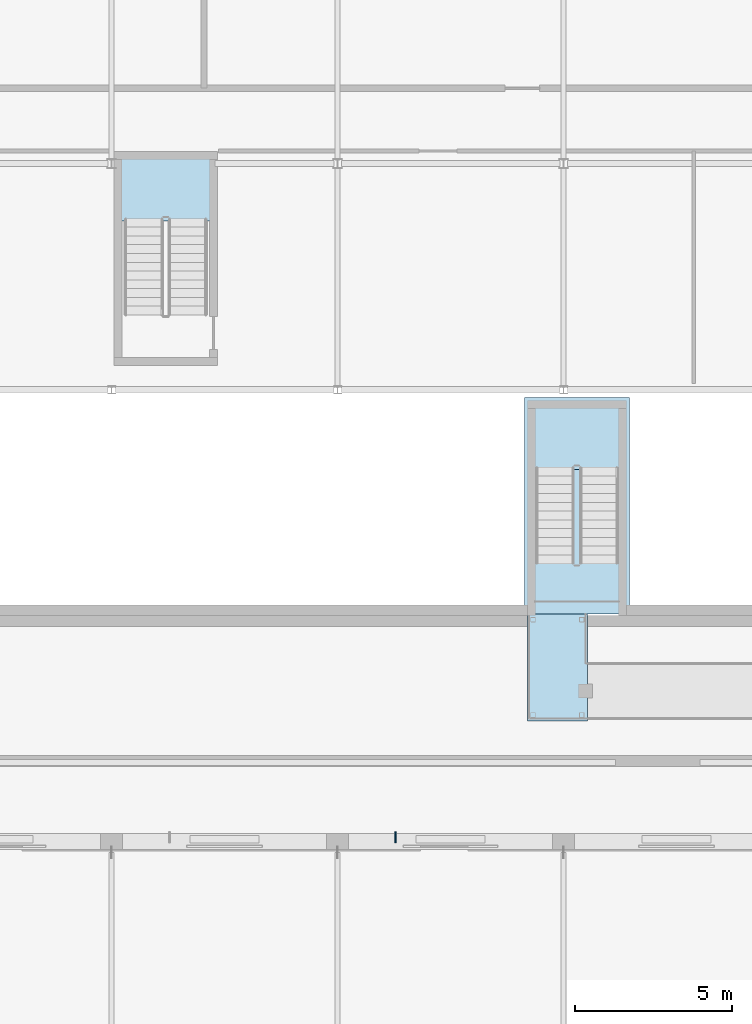
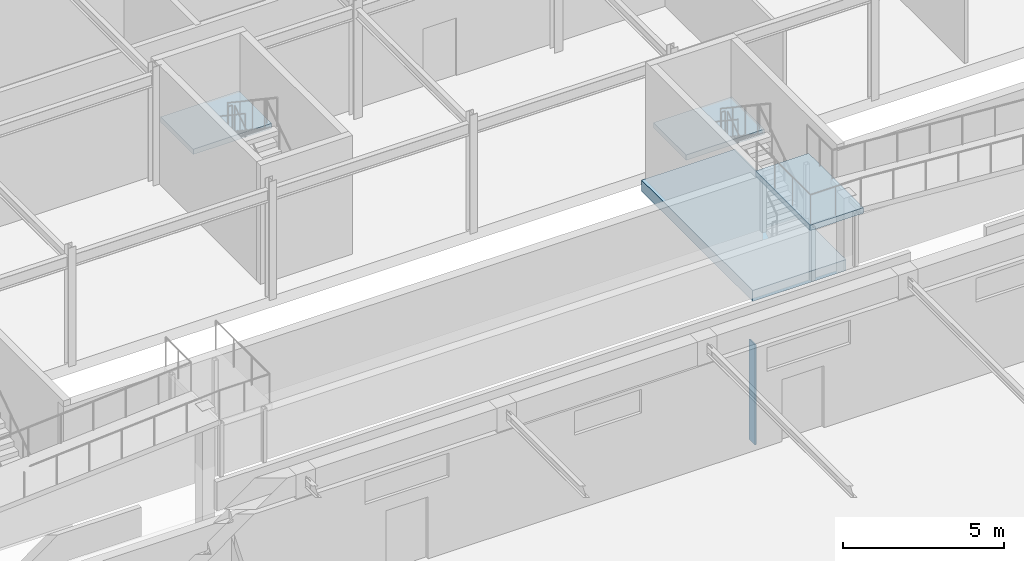
# One storey, part 43 of 85: 4 slabs, 1 plate, 3 elements without a shape of their own.
"""IFC4 building model written with IfcOpenShell, lengths in metres."""

from ifc_helpers import new_model, si_unit, direction, frame, origin, origin_2d, place, context, subcontext, project, spatial, polyline, rectangle, outline, extrude, material, layer, layer_set, type_object, element, aggregate, save


model = new_model("IFC4")

# Units and contexts
model_context = context("Model", 3, precision=1e-05, world=origin(), true_north=direction((0.0, 1.0)))
body_context = subcontext(model_context, "Body", "Model", "MODEL_VIEW")
ifc_project = project(units=[si_unit("LENGTHUNIT", "METRE"), si_unit("AREAUNIT", "SQUARE_METRE"), si_unit("VOLUMEUNIT", "CUBIC_METRE"), si_unit("PLANEANGLEUNIT", "RADIAN"), si_unit("MASSUNIT", "GRAM", prefix="KILO")], contexts=[model_context])

# Site, building, storey
site_placement = place(None, origin())
site = spatial("IfcSite", under=ifc_project, at=site_placement, CompositionType="ELEMENT")
building_placement = place(site_placement, origin())
building = spatial("IfcBuilding", under=site, at=building_placement, Name="Ochrevale Crest", CompositionType="ELEMENT")
storey_placement = place(building_placement, origin())
storey = spatial("IfcBuildingStorey", under=building, at=storey_placement, Name="L00", CompositionType="ELEMENT", Elevation=0.0)

# Plate
ifc_material_1 = material(Name="Precast concrete C40/50", Category="concrete")
ifc_layer_1 = layer(ifc_material_1, 0.050048828125)
ifc_layer_set_1 = layer_set([ifc_layer_1], Name="Precast concrete C40/50")
plate_type = type_object("IfcPlateType", Name="PLT-HALL-FIN-50", PredefinedType="USERDEFINED", material=ifc_layer_set_1)
plate_placement = place(storey_placement, frame((88.25, 64.93994140625, 0.0), z_axis=(0.0, 0.0, 1.0), x_axis=(1.0, 0.0, 0.0)))
element("IfcPlate", 1, at=plate_placement, inside=storey, type_object=plate_type, Name="Community Hall N ochre precast pilaster fin 5", ObjectType="ARCHITECTURAL FIN", PredefinedType="USERDEFINED", context=body_context, shape_type="SweptSolid", body=[
    extrude(rectangle(XDim=0.050048828125, YDim=0.360107421875, at=origin_2d()), origin(), (0.0, 0.0, 1.0), 3.800048828125),
])

# Ramp, slab
ifc_material_2 = material(Name="Concrete C40/50", Category="concrete")
ramp_type = type_object("IfcRampType", Name="RMP-ACC", PredefinedType="USERDEFINED", material=ifc_material_2)
ramp_placement = place(storey_placement, origin())
ramp = element("IfcRamp", 2, at=ramp_placement, inside=storey, type_object=ramp_type, Name="East hillside Step 2 to Step 3 accessible ramp", ObjectType="ACCESSIBLE RAMP", PredefinedType="USERDEFINED")
ifc_layer_2 = layer(ifc_material_2, 0.2099609375)
ifc_layer_set_2 = layer_set([ifc_layer_2], Name="Concrete C40/50")
slab_type_1 = type_object("IfcSlabType", Name="SLB-EXT-LAND-210", PredefinedType="LANDING", material=ifc_layer_set_2)
slab_1_placement = place(storey_placement, frame((0.0, 0.0, 4.2900390625)))
slab_1 = element("IfcSlab", 3, at=slab_1_placement, type_object=slab_type_1, Name="East hillside Step 2 to Step 3 accessible ramp upper arrival landing", PredefinedType="LANDING", context=body_context, shape_type="SweptSolid", body=[
    extrude(outline(polyline([(92.449951171875, 68.64990234375), (94.360107421875, 68.64990234375), (94.360107421875, 72.050048828125), (92.449951171875, 72.050048828125), (92.449951171875, 68.64990234375)])), origin(), (0.0, 0.0, 1.0), 0.2099609375),
])
aggregate(ramp, [slab_1])

# Slab
ifc_layer_3 = layer(ifc_material_2, 0.4150390625)
ifc_layer_set_3 = layer_set([ifc_layer_3], Name="Concrete C40/50")
slab_type_2 = type_object("IfcSlabType", Name="SLB-HALL-300", PredefinedType="FLOOR", material=ifc_layer_set_3)
slab_2_placement = place(storey_placement, frame((0.0, 0.0, -0.419921875)))
element("IfcSlab", 4, at=slab_2_placement, inside=storey, type_object=slab_type_2, Name="ST-CE1 lower structural base slab", PredefinedType="FLOOR", context=body_context, shape_type="SweptSolid", body=[
    extrude(outline(polyline([(92.35009765625, 72.050048828125), (95.699951171875, 72.050048828125), (95.699951171875, 78.949951171875), (92.35009765625, 78.949951171875), (92.35009765625, 72.050048828125)])), origin(), (0.0, 0.0, 1.0), 0.419921875),
])

# Stair, slab
stair_type = type_object("IfcStairType", Name="ST-CIVIC-DOG", PredefinedType="HALF_TURN_STAIR", material=ifc_material_1)
stair_1_placement = place(storey_placement, origin())
stair_1 = element("IfcStair", 5, at=stair_1_placement, inside=storey, type_object=stair_type, Name="L00 Nursery Roof-Garden Stair", PredefinedType="HALF_TURN_STAIR")
ifc_layer_4 = layer(ifc_material_1, 0.199951171875)
ifc_layer_set_4 = layer_set([ifc_layer_4], Name="Precast concrete C40/50")
slab_type_3 = type_object("IfcSlabType", Name="SLB-ST-LAND", PredefinedType="LANDING", material=ifc_layer_set_4)
slab_3_placement = place(storey_placement, frame((0.0, 0.0, 2.050048828125)))
slab_3 = element("IfcSlab", 6, at=slab_3_placement, type_object=slab_type_3, Name="ST-N1 landing 1", PredefinedType="LANDING", context=body_context, shape_type="SweptSolid", body=[
    extrude(outline(polyline([(82.330078125, 84.574951171875), (82.330078125, 86.60498046875), (79.52001953125, 86.60498046875), (79.52001953125, 84.574951171875), (82.330078125, 84.574951171875)])), origin(), (0.0, 0.0, 1.0), 0.199951171875),
])
aggregate(stair_1, [slab_3])

stair_2_placement = place(storey_placement, origin())
stair_2 = element("IfcStair", 7, at=stair_2_placement, inside=storey, type_object=stair_type, Name="L00 East courtyard promenade dog-leg stair", PredefinedType="HALF_TURN_STAIR")
slab_4_placement = place(storey_placement, frame((0.0, 0.0, 2.050048828125)))
slab_4 = element("IfcSlab", 8, at=slab_4_placement, type_object=slab_type_3, Name="ST-CE1 landing 1", PredefinedType="LANDING", context=body_context, shape_type="SweptSolid", body=[
    extrude(outline(polyline([(95.429931640625, 76.64990234375), (95.429931640625, 78.679931640625), (92.6201171875, 78.679931640625), (92.6201171875, 76.64990234375), (95.429931640625, 76.64990234375)])), origin(), (0.0, 0.0, 1.0), 0.199951171875),
])
aggregate(stair_2, [slab_4])

save(model, "model.ifc")
